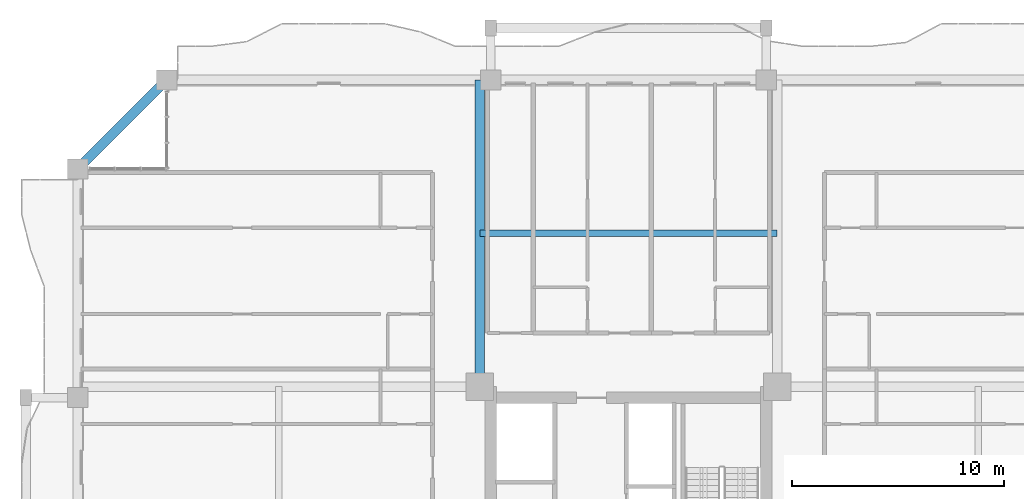
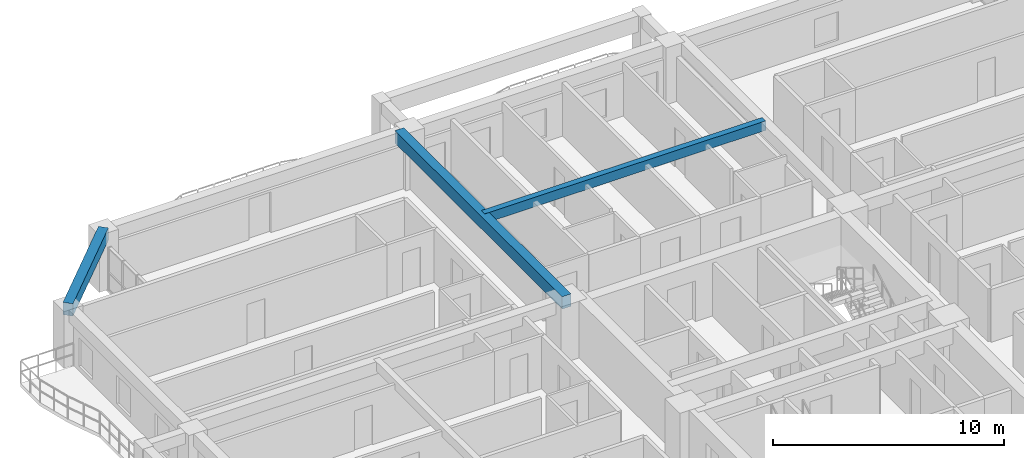
# One storey, part 7 of 25: 3 beams.
"""IFC4 building model written with IfcOpenShell, lengths in metres."""

from ifc_helpers import new_model, si_unit, direction, frame, origin, origin_2d, place, context, subcontext, project, spatial, rectangle, extrude, source, transform, mapped, material, material_profile, profile_set, type_object, element, save


model = new_model("IFC4")

# Units and contexts
model_context = context("Model", 3, precision=1e-05, world=origin(), true_north=direction((0.0, 1.0)))
body_context = subcontext(model_context, "Body", "Model", "MODEL_VIEW")
ifc_project = project(units=[si_unit("LENGTHUNIT", "METRE"), si_unit("AREAUNIT", "SQUARE_METRE"), si_unit("VOLUMEUNIT", "CUBIC_METRE"), si_unit("PLANEANGLEUNIT", "RADIAN"), si_unit("MASSUNIT", "GRAM", prefix="KILO")], contexts=[model_context])

# Site, building, storey
site_placement = place(None, origin())
site = spatial("IfcSite", under=ifc_project, at=site_placement, CompositionType="ELEMENT")
building_placement = place(site_placement, origin())
building = spatial("IfcBuilding", under=site, at=building_placement, Name="Saelheon Loggia Tower", CompositionType="ELEMENT")
storey_placement = place(building_placement, frame((0.0, 0.0, 107.85009765625)))
storey = spatial("IfcBuildingStorey", under=building, at=storey_placement, Name="L34", CompositionType="ELEMENT", Elevation=107.85009765625)

# Beams
ifc_material = material(Name="Concrete C40/50", Category="concrete")
ifc_material_profile_1 = material_profile(ifc_material, rectangle(XDim=0.449951171875, YDim=0.64990234375, at=origin_2d()), Name="RC-450x650")
ifc_profile_set_1 = profile_set([ifc_material_profile_1], Name="Concrete C40/50")
beam_type_1 = type_object("IfcBeamType", Name="Beam_PerimTower_RC450x650", PredefinedType="BEAM", material=ifc_profile_set_1)
shared_shape_1 = source(origin(), body_context, "Body", "SweptSolid", [
    extrude(rectangle(XDim=0.449951171875, YDim=0.64990234375, at=origin_2d()), origin(), (0.0, 0.0, 1.0), 5.939697265625),
])
beam_1_placement = place(storey_placement, frame((16.199951171875, 51.0, 2.6748046875), z_axis=(-0.707106781187, -0.707106781187, 0.0), x_axis=(0.707106781187, -0.707106781187, 0.0)))
element("IfcBeam", 1, at=beam_1_placement, inside=storey, type_object=beam_type_1, Name="L34 Perimeter Frame Girder 12", PredefinedType="BEAM", context=body_context, shape_type="MappedRepresentation", body=[
    mapped(shared_shape_1, transform((0.0, 0.0, 0.0), scale=1.0)),
])
ifc_material_profile_2 = material_profile(ifc_material, rectangle(XDim=0.449951171875, YDim=0.64990234375, at=origin_2d()), Name="RC-450x650")
ifc_profile_set_2 = profile_set([ifc_material_profile_2], Name="Concrete C40/50")
beam_type_2 = type_object("IfcBeamType", Name="Beam_TowerGirder_RC450x650", PredefinedType="BEAM", material=ifc_profile_set_2)
shared_shape_2 = source(origin(), body_context, "Body", "SweptSolid", [
    extrude(rectangle(XDim=0.449951171875, YDim=0.64990234375, at=origin_2d()), origin(), (0.0, 0.0, 1.0), 14.47998046875),
])
beam_2_placement = place(storey_placement, frame((30.97998046875, 36.52001953125, 2.6748046875), z_axis=(0.0, 1.0, 0.0), x_axis=(-1.0, 0.0, 0.0)))
element("IfcBeam", 2, at=beam_2_placement, inside=storey, type_object=beam_type_2, Name="L34 Radial Floor Girder RAD-NW-N", PredefinedType="BEAM", context=body_context, shape_type="MappedRepresentation", body=[
    mapped(shared_shape_2, transform((0.0, 0.0, 0.0), scale=1.0)),
])
ifc_material_profile_3 = material_profile(ifc_material, rectangle(XDim=0.300048828125, YDim=0.5, at=origin_2d()), Name="RC-300x500")
ifc_profile_set_3 = profile_set([ifc_material_profile_3], Name="Concrete C40/50")
beam_type_3 = type_object("IfcBeamType", Name="Beam_Joist_RC300x500", PredefinedType="JOIST", material=ifc_profile_set_3)
shared_shape_3 = source(origin(), body_context, "Body", "SweptSolid", [
    extrude(rectangle(XDim=0.300048828125, YDim=0.5, at=origin_2d()), origin(), (0.0, 0.0, 1.0), 14.0400390625),
])
beam_3_placement = place(storey_placement, frame((30.97998046875, 43.760009765625, 2.75), z_axis=(1.0, 0.0, 0.0), x_axis=(0.0, 1.0, 0.0)))
element("IfcBeam", 3, at=beam_3_placement, inside=storey, type_object=beam_type_3, Name="L34 North Floor Joist", PredefinedType="JOIST", context=body_context, shape_type="MappedRepresentation", body=[
    mapped(shared_shape_3, transform((0.0, 0.0, 0.0), scale=1.0)),
])

save(model, "model.ifc")
